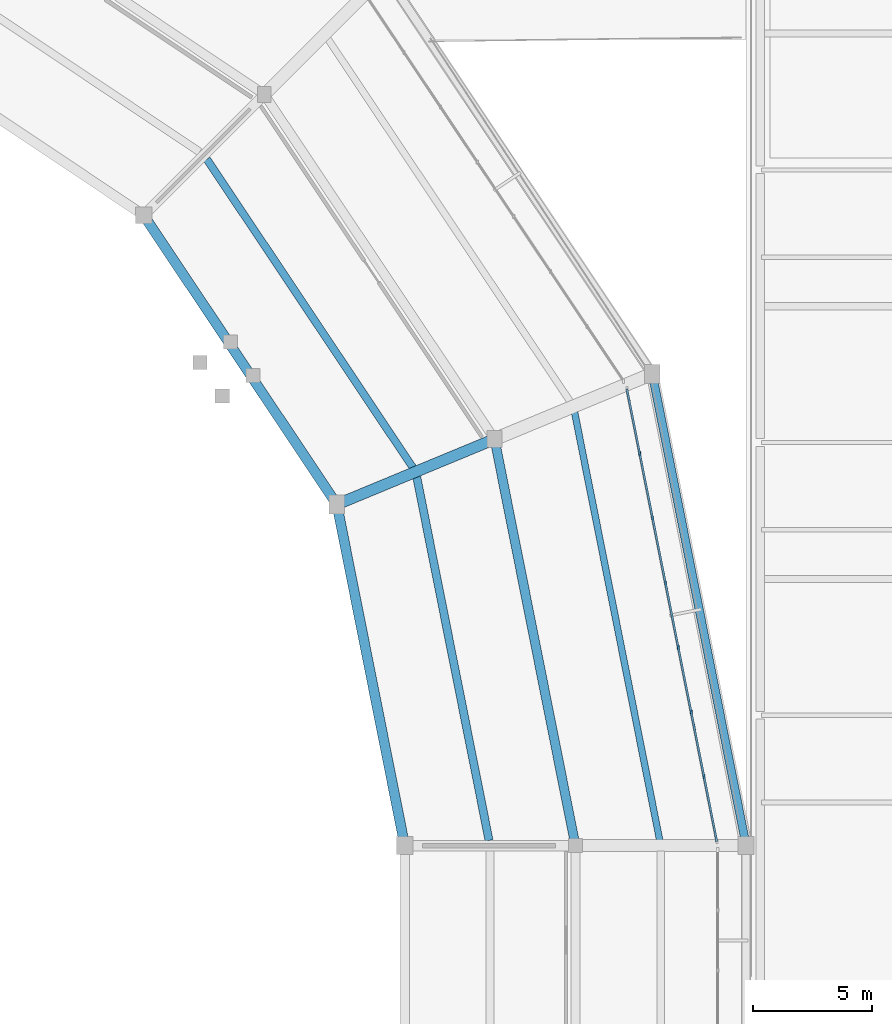
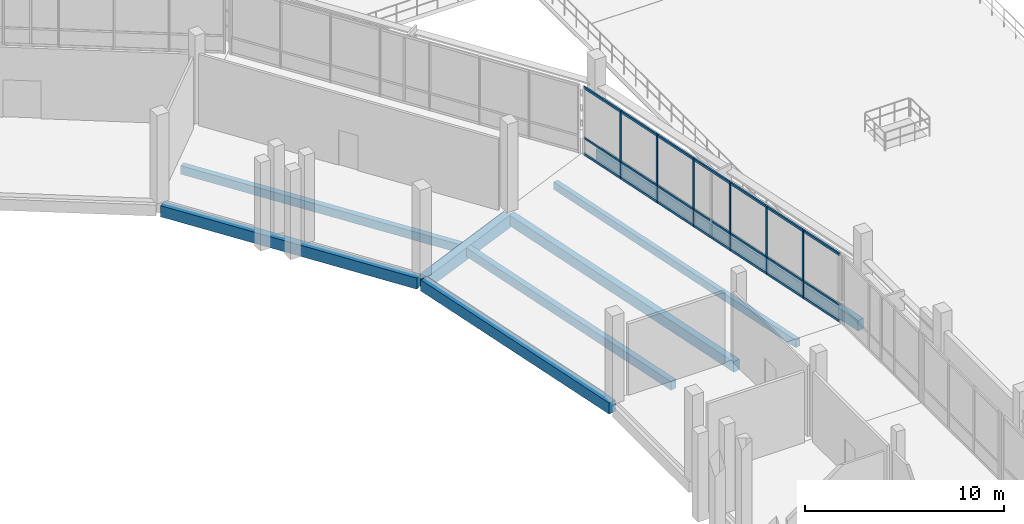
# One storey, part 41 of 111: 9 members, 8 beams, 1 element without a shape of its own.
"""IFC4 building model written with IfcOpenShell, lengths in metres."""

from ifc_helpers import new_model, si_unit, direction, frame, origin, origin_2d, place, context, subcontext, project, spatial, rectangle, extrude, material, material_profile, profile_set, type_object, element, aggregate, save


model = new_model("IFC4")

# Units and contexts
model_context = context("Model", 3, precision=1e-05, world=origin(), true_north=direction((0.0, 1.0)))
body_context = subcontext(model_context, "Body", "Model", "MODEL_VIEW")
ifc_project = project(units=[si_unit("LENGTHUNIT", "METRE"), si_unit("AREAUNIT", "SQUARE_METRE"), si_unit("VOLUMEUNIT", "CUBIC_METRE"), si_unit("PLANEANGLEUNIT", "RADIAN"), si_unit("MASSUNIT", "GRAM", prefix="KILO")], contexts=[model_context])

# Site, building, storey
site_placement = place(None, origin())
site = spatial("IfcSite", under=ifc_project, at=site_placement, CompositionType="ELEMENT")
building_placement = place(site_placement, origin())
building = spatial("IfcBuilding", under=site, at=building_placement, Name="Candeia Ridge Stadium", CompositionType="ELEMENT")
storey_placement = place(building_placement, frame((0.0, 0.0, 16.199951171875)))
storey = spatial("IfcBuildingStorey", under=building, at=storey_placement, Name="L03", CompositionType="ELEMENT", Elevation=16.199951171875)

# Curtain wall, members
ifc_material_1 = material(Name="Aluminium Anodized Warm Bronze", Category="aluminium")
curtain_wall_type = type_object("IfcCurtainWallType", Name="Concourse Recessed Unitised Curtain Wall", PredefinedType="NOTDEFINED", material=ifc_material_1)
curtain_wall_placement = place(storey_placement, origin())
curtain_wall = element("IfcCurtainWall", 1, at=curtain_wall_placement, inside=storey, type_object=curtain_wall_type, Name="Unitised curtain wall CW-BWL-L03-32", PredefinedType="NOTDEFINED")
ifc_material_profile_1 = material_profile(ifc_material_1, rectangle(XDim=0.074951171875, YDim=0.14990234375, at=origin_2d()), Name="CWM-75x150", Category="aluminium")
ifc_profile_set_1 = profile_set([ifc_material_profile_1], Name="Aluminium Anodized Warm Bronze")
member_type_1 = type_object("IfcMemberType", Name="Curtain Wall Secondary Mullion 75x150", PredefinedType="MULLION", material=ifc_profile_set_1)
member_1_placement = place(storey_placement, frame((191.222412109375, 97.9033203125, 0.0), z_axis=(0.0, 0.0, 1.0), x_axis=(1.0, 0.0, 0.0)))
member_1 = element("IfcMember", 2, at=member_1_placement, type_object=member_type_1, Name="Curtain wall mullion CW-BWL-L03-32-M1", PredefinedType="MULLION", context=body_context, shape_type="SweptSolid", body=[
    extrude(rectangle(XDim=0.074951171875, YDim=0.14990234375, at=origin_2d()), origin(), (0.0, 0.0, 1.0), 4.205078125),
])
member_2_placement = place(storey_placement, frame((190.68017578125, 100.6298828125, 0.0), z_axis=(0.0, 0.0, 1.0), x_axis=(1.0, 0.0, 0.0)))
member_2 = element("IfcMember", 3, at=member_2_placement, type_object=member_type_1, Name="Curtain wall mullion CW-BWL-L03-32-M2", PredefinedType="MULLION", context=body_context, shape_type="SweptSolid", body=[
    extrude(rectangle(XDim=0.074951171875, YDim=0.14990234375, at=origin_2d()), origin(), (0.0, 0.0, 1.0), 4.205078125),
])
member_3_placement = place(storey_placement, frame((190.1376953125, 103.356689453125, 0.0), z_axis=(0.0, 0.0, 1.0), x_axis=(1.0, 0.0, 0.0)))
member_3 = element("IfcMember", 4, at=member_3_placement, type_object=member_type_1, Name="Curtain wall mullion CW-BWL-L03-32-M3", PredefinedType="MULLION", context=body_context, shape_type="SweptSolid", body=[
    extrude(rectangle(XDim=0.074951171875, YDim=0.14990234375, at=origin_2d()), origin(), (0.0, 0.0, 1.0), 4.205078125),
])
member_4_placement = place(storey_placement, frame((189.595458984375, 106.08349609375, 0.0), z_axis=(0.0, 0.0, 1.0), x_axis=(1.0, 0.0, 0.0)))
member_4 = element("IfcMember", 5, at=member_4_placement, type_object=member_type_1, Name="Curtain wall mullion CW-BWL-L03-32-M4", PredefinedType="MULLION", context=body_context, shape_type="SweptSolid", body=[
    extrude(rectangle(XDim=0.074951171875, YDim=0.14990234375, at=origin_2d()), origin(), (0.0, 0.0, 1.0), 4.205078125),
])
member_5_placement = place(storey_placement, frame((189.052978515625, 108.810302734375, 0.0), z_axis=(0.0, 0.0, 1.0), x_axis=(1.0, 0.0, 0.0)))
member_5 = element("IfcMember", 6, at=member_5_placement, type_object=member_type_1, Name="Curtain wall mullion CW-BWL-L03-32-M5", PredefinedType="MULLION", context=body_context, shape_type="SweptSolid", body=[
    extrude(rectangle(XDim=0.074951171875, YDim=0.14990234375, at=origin_2d()), origin(), (0.0, 0.0, 1.0), 4.205078125),
])
member_6_placement = place(storey_placement, frame((188.510498046875, 111.537109375, 0.0), z_axis=(0.0, 0.0, 1.0), x_axis=(1.0, 0.0, 0.0)))
member_6 = element("IfcMember", 7, at=member_6_placement, type_object=member_type_1, Name="Curtain wall mullion CW-BWL-L03-32-M6", PredefinedType="MULLION", context=body_context, shape_type="SweptSolid", body=[
    extrude(rectangle(XDim=0.074951171875, YDim=0.14990234375, at=origin_2d()), origin(), (0.0, 0.0, 1.0), 4.205078125),
])
ifc_material_profile_2 = material_profile(ifc_material_1, rectangle(XDim=0.074951171875, YDim=0.110107421875, at=origin_2d()), Name="CWT-75x110", Category="aluminium")
ifc_profile_set_2 = profile_set([ifc_material_profile_2], Name="Aluminium Anodized Warm Bronze")
member_type_2 = type_object("IfcMemberType", Name="Curtain Wall Secondary Transom 75x110", PredefinedType="USERDEFINED", material=ifc_profile_set_2)
member_7_placement = place(storey_placement, frame((191.764892578125, 95.176513671875, 1.05126953125), z_axis=(-0.195085896803, 0.980786160623, 0.0), x_axis=(-0.980786160623, -0.195085896803, 0.0)))
member_7 = element("IfcMember", 8, at=member_7_placement, type_object=member_type_2, Name="Curtain wall transom CW-BWL-L03-32-T1", ObjectType="TRANSOM", PredefinedType="USERDEFINED", context=body_context, shape_type="SweptSolid", body=[
    extrude(rectangle(XDim=0.074951171875, YDim=0.110107421875, at=origin_2d()), origin(), (0.0, 0.0, 1.0), 19.46142578125),
])
ifc_material_profile_3 = material_profile(ifc_material_1, rectangle(XDim=0.090087890625, YDim=0.139892578125, at=origin_2d()), Name="CWT-90x140", Category="aluminium")
ifc_profile_set_3 = profile_set([ifc_material_profile_3], Name="Aluminium Anodized Warm Bronze")
member_type_3 = type_object("IfcMemberType", Name="Curtain Wall Transom 90x140", PredefinedType="USERDEFINED", material=ifc_profile_set_3)
member_8_placement = place(storey_placement, frame((191.764892578125, 95.176513671875, 0.070068359375), z_axis=(-0.195085896803, 0.980786160623, 0.0), x_axis=(-0.980786160623, -0.195085896803, 0.0)))
member_8 = element("IfcMember", 9, at=member_8_placement, type_object=member_type_3, Name="Curtain wall transom CW-BWL-L03-32-T0", ObjectType="TRANSOM", PredefinedType="USERDEFINED", context=body_context, shape_type="SweptSolid", body=[
    extrude(rectangle(XDim=0.090087890625, YDim=0.139892578125, at=origin_2d()), origin(), (0.0, 0.0, 1.0), 19.46142578125),
])
member_9_placement = place(storey_placement, frame((191.764892578125, 95.176513671875, 4.135009765625), z_axis=(-0.195085896803, 0.980786160623, 0.0), x_axis=(-0.980786160623, -0.195085896803, 0.0)))
member_9 = element("IfcMember", 10, at=member_9_placement, type_object=member_type_3, Name="Curtain wall transom CW-BWL-L03-32-T2", ObjectType="TRANSOM", PredefinedType="USERDEFINED", context=body_context, shape_type="SweptSolid", body=[
    extrude(rectangle(XDim=0.090087890625, YDim=0.139892578125, at=origin_2d()), origin(), (0.0, 0.0, 1.0), 19.46142578125),
])
aggregate(curtain_wall, [member_1, member_2, member_3, member_4, member_5, member_6, member_8, member_7, member_9])

# Beams
ifc_material_2 = material(Name="Concrete C40/50", Category="concrete")
ifc_material_profile_4 = material_profile(ifc_material_2, rectangle(XDim=0.280029296875, YDim=0.4599609375, at=origin_2d()), Name="RC280x460", Category="concrete")
ifc_profile_set_4 = profile_set([ifc_material_profile_4], Name="Concrete C40/50")
beam_type_1 = type_object("IfcBeamType", Name="Floor Joist RC280x460", PredefinedType="JOIST", material=ifc_profile_set_4)
beam_1_placement = place(storey_placement, frame((189.356689453125, 95.2177734375, -0.47998046875), z_axis=(-0.195092537954, 0.980784839623, 0.0), x_axis=(-0.980784839623, -0.195092537954, 0.0)))
element("IfcBeam", 11, at=beam_1_placement, inside=storey, type_object=beam_type_1, Name="Concourse secondary joist BM-L03-0706", PredefinedType="JOIST", context=body_context, shape_type="SweptSolid", body=[
    extrude(rectangle(XDim=0.280029296875, YDim=0.4599609375, at=origin_2d()), origin(), (0.0, 0.0, 1.0), 18.440673828125),
])
ifc_material_profile_5 = material_profile(ifc_material_2, rectangle(XDim=0.320068359375, YDim=0.52001953125, at=origin_2d()), Name="RC320x520", Category="concrete")
ifc_profile_set_5 = profile_set([ifc_material_profile_5], Name="Concrete C40/50")
beam_type_2 = type_object("IfcBeamType", Name="Floor Joist RC320x520", PredefinedType="JOIST", material=ifc_profile_set_5)
beam_2_placement = place(storey_placement, frame((178.9404296875, 110.951171875, -0.510009765625), z_axis=(-0.555568527312, 0.831470752017, 0.0), x_axis=(-0.831470752017, -0.555568527312, 0.0)))
element("IfcBeam", 12, at=beam_2_placement, inside=storey, type_object=beam_type_2, Name="Concourse secondary joist BM-L03-0710", PredefinedType="JOIST", context=body_context, shape_type="SweptSolid", body=[
    extrude(rectangle(XDim=0.320068359375, YDim=0.52001953125, at=origin_2d()), origin(), (0.0, 0.0, 1.0), 15.63134765625),
])
ifc_material_profile_6 = material_profile(ifc_material_2, rectangle(XDim=0.340087890625, YDim=0.5400390625, at=origin_2d()), Name="RC340x540", Category="concrete")
ifc_profile_set_6 = profile_set([ifc_material_profile_6], Name="Concrete C40/50")
beam_type_3 = type_object("IfcBeamType", Name="Floor Joist RC340x540", PredefinedType="JOIST", material=ifc_profile_set_6)
beam_3_placement = place(storey_placement, frame((182.15673828125, 95.2177734375, -0.52001953125), z_axis=(-0.195091809076, 0.980784984607, 0.0), x_axis=(-0.980784984607, -0.195091809076, 0.0)))
element("IfcBeam", 13, at=beam_3_placement, inside=storey, type_object=beam_type_3, Name="Concourse secondary joist BM-L03-0705", PredefinedType="JOIST", context=body_context, shape_type="SweptSolid", body=[
    extrude(rectangle(XDim=0.340087890625, YDim=0.5400390625, at=origin_2d()), origin(), (0.0, 0.0, 1.0), 15.63134765625),
])
ifc_material_profile_7 = material_profile(ifc_material_2, rectangle(XDim=0.389892578125, YDim=0.639892578125, at=origin_2d()), Name="RC390x640", Category="concrete")
ifc_profile_set_7 = profile_set([ifc_material_profile_7], Name="Concrete C40/50")
beam_type_4 = type_object("IfcBeamType", Name="Frame Girder RC390x640", PredefinedType="BEAM", material=ifc_profile_set_7)
beam_4_placement = place(storey_placement, frame((185.768798828125, 95.156982421875, -0.570068359375), z_axis=(-0.195098234154, 0.980783706548, 0.0), x_axis=(-0.980783706548, -0.195098234154, 0.0)))
element("IfcBeam", 14, at=beam_4_placement, inside=storey, type_object=beam_type_4, Name="Concourse spine girder BM-L03-0703", PredefinedType="BEAM", context=body_context, shape_type="SweptSolid", body=[
    extrude(rectangle(XDim=0.389892578125, YDim=0.639892578125, at=origin_2d()), origin(), (0.0, 0.0, 1.0), 17.16015625),
])
ifc_material_profile_8 = material_profile(ifc_material_2, rectangle(XDim=0.419921875, YDim=0.679931640625, at=origin_2d()), Name="RC420x680", Category="concrete")
ifc_profile_set_8 = profile_set([ifc_material_profile_8], Name="Concrete C40/50")
beam_type_5 = type_object("IfcBeamType", Name="Frame Girder RC420x680", PredefinedType="BEAM", material=ifc_profile_set_8)
for number, where, z_axis, x_axis, name in (
    (15, (178.56884765625, 95.156982421875, -0.58984375), (-0.195098555341, 0.980783642657, 0.0), (-0.980783642657, -0.195098555341, 0.0), "Bowl inner ring girder BM-L03-0702"),
    (16, (175.64892578125, 109.52197265625, -0.58984375), (-0.55557537569, 0.831466176057, 0.0), (-0.831466176057, -0.55557537569, 0.0), "Bowl inner ring girder BM-L03-0707"),
):
    element("IfcBeam", number, at=place(storey_placement, frame(where, z_axis=z_axis, x_axis=x_axis)), inside=storey, type_object=beam_type_5, Name=name, PredefinedType="BEAM", context=body_context, shape_type="SweptSolid", body=[
        extrude(rectangle(XDim=0.419921875, YDim=0.679931640625, at=origin_2d()), origin(), (0.0, 0.0, 1.0), 14.350830078125),
    ])
ifc_material_profile_9 = material_profile(ifc_material_2, rectangle(XDim=0.469970703125, YDim=0.760009765625, at=origin_2d()), Name="RC470x760", Category="concrete")
ifc_profile_set_9 = profile_set([ifc_material_profile_9], Name="Concrete C40/50")
beam_type_6 = type_object("IfcBeamType", Name="Frame Girder RC470x760", PredefinedType="BEAM", material=ifc_profile_set_9)
beam_5_placement = place(storey_placement, frame((175.8857421875, 109.4501953125, -0.6298828125), z_axis=(0.923880161031, 0.382681914982, 0.0), x_axis=(-0.382681914982, 0.923880161031, 0.0)))
element("IfcBeam", 17, at=beam_5_placement, inside=storey, type_object=beam_type_6, Name="Bowl radial girder BM-L03-0547", PredefinedType="BEAM", context=body_context, shape_type="SweptSolid", body=[
    extrude(rectangle(XDim=0.469970703125, YDim=0.760009765625, at=origin_2d()), origin(), (0.0, 0.0, 1.0), 6.8798828125),
])
ifc_material_profile_10 = material_profile(ifc_material_2, rectangle(XDim=0.35009765625, YDim=0.64990234375, at=origin_2d()), Name="RC350x650", Category="concrete")
ifc_profile_set_10 = profile_set([ifc_material_profile_10], Name="Concrete C40/50")
beam_type_7 = type_object("IfcBeamType", Name="Spandrel Beam RC350x650", PredefinedType="SPANDREL", material=ifc_profile_set_10)
beam_6_placement = place(storey_placement, frame((192.96875, 95.156982421875, -0.574951171875), z_axis=(-0.195086242929, 0.980786091775, 0.0), x_axis=(-0.980786091775, -0.195086242929, 0.0)))
element("IfcBeam", 18, at=beam_6_placement, inside=storey, type_object=beam_type_7, Name="Bowl perimeter spandrel BM-L03-0704", PredefinedType="SPANDREL", context=body_context, shape_type="SweptSolid", body=[
    extrude(rectangle(XDim=0.35009765625, YDim=0.64990234375, at=origin_2d()), origin(), (0.0, 0.0, 1.0), 19.969482421875),
])

save(model, "model.ifc")
